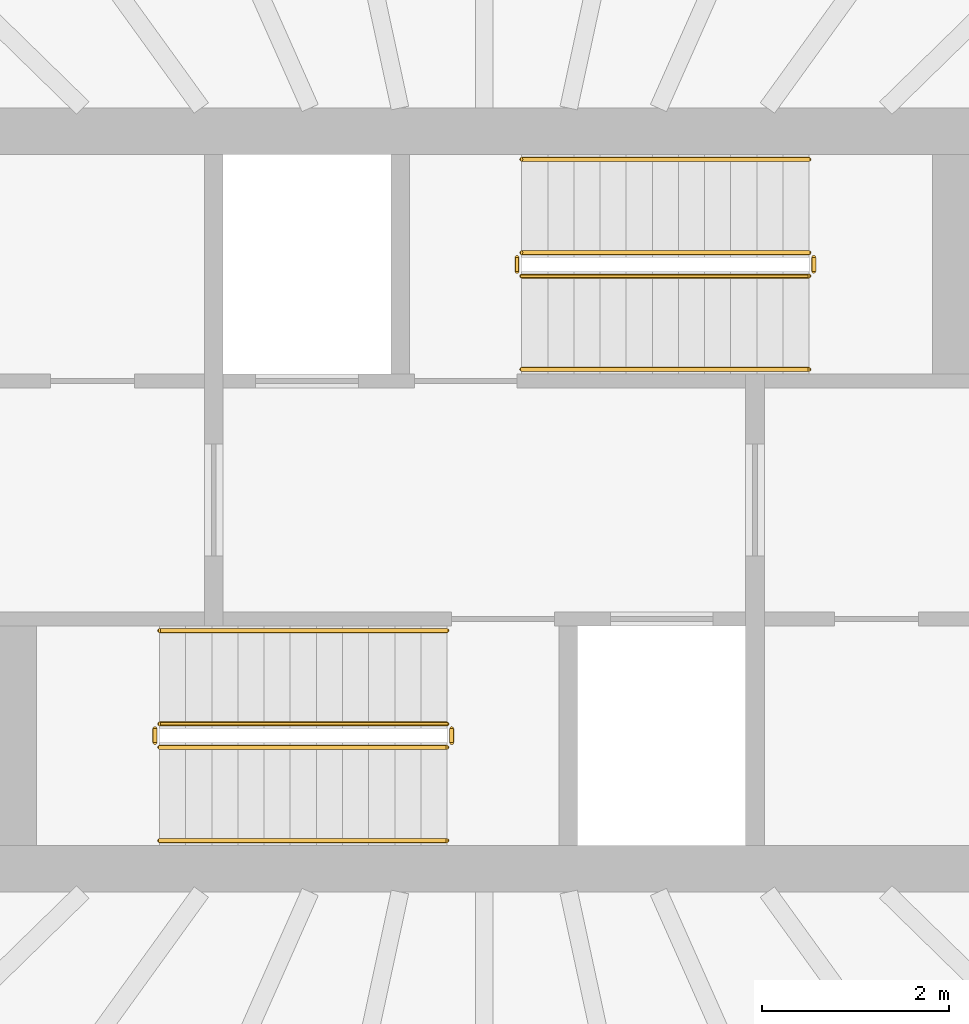
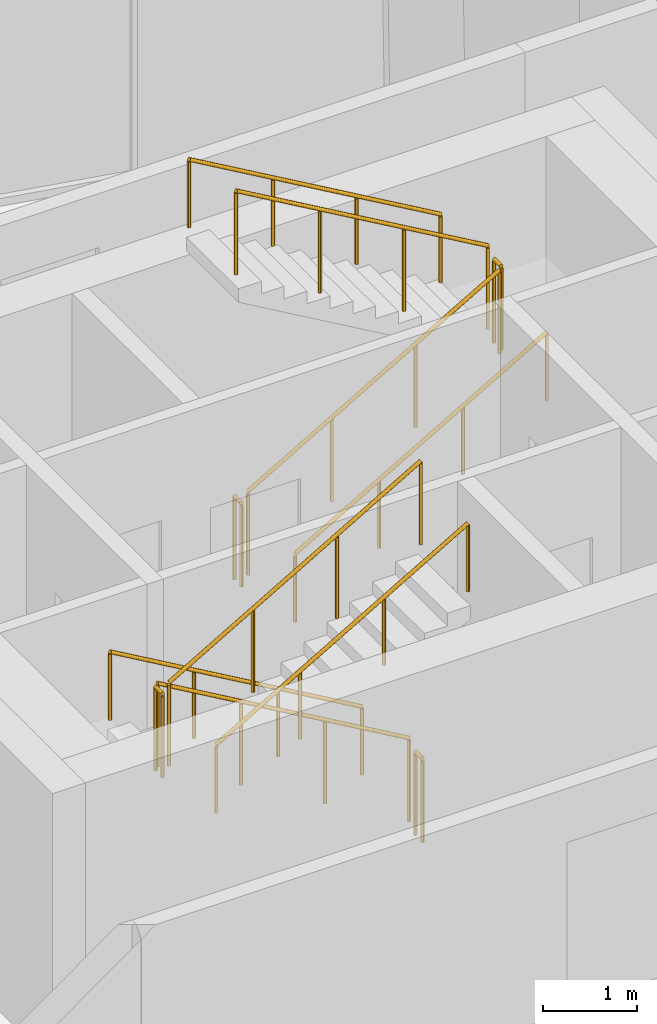
# One storey, part 5 of 5: 12 railings.
"""IFC4 building model written with IfcOpenShell, lengths in metres."""

from ifc_helpers import new_model, si_unit, direction, frame, origin, origin_2d, place, context, subcontext, project, spatial, circle, extrude, material, type_object, element, save


model = new_model("IFC4")

# Units and contexts
model_context = context("Model", 3, precision=1e-05, world=origin(), true_north=direction((0.0, 1.0)))
body_context = subcontext(model_context, "Body", "Model", "MODEL_VIEW")
ifc_project = project(units=[si_unit("LENGTHUNIT", "METRE"), si_unit("AREAUNIT", "SQUARE_METRE"), si_unit("VOLUMEUNIT", "CUBIC_METRE"), si_unit("PLANEANGLEUNIT", "RADIAN"), si_unit("MASSUNIT", "GRAM", prefix="KILO")], contexts=[model_context])

# Site, building, storey
site_placement = place(None, origin())
site = spatial("IfcSite", under=ifc_project, at=site_placement, CompositionType="ELEMENT")
building_placement = place(site_placement, origin())
building = spatial("IfcBuilding", under=site, at=building_placement, Name="Siaravel Broadcast Tower", CompositionType="ELEMENT")
storey_placement = place(building_placement, frame((0.0, 0.0, 276.5)))
storey = spatial("IfcBuildingStorey", under=building, at=storey_placement, Name="L67", CompositionType="ELEMENT", Elevation=276.5)

# Railings
ifc_material = material(Name="Stainless steel 316L", Category="steel")
railing_type_1 = type_object("IfcRailingType", Name="Stair guard 1100", PredefinedType="GUARDRAIL", material=ifc_material)
railing_1_placement = place(storey_placement, frame((0.39990234375, 2.39990234375, 0.16259765625)))
element("IfcRailing", 1, at=railing_1_placement, inside=storey, type_object=railing_type_1, Name="L67 ST-C1 stair guard 1", PredefinedType="GUARDRAIL", context=body_context, shape_type="SweptSolid", body=[
    extrude(circle(Radius=0.02392578125, at=origin_2d()), frame((0.0, 0.0, 1.076171875), z_axis=(0.864920483, 0.0, 0.501908914), x_axis=(0.0, 1.0, 0.0)), (0.0, 0.0, 1.0), 3.56103515625),
    extrude(circle(Radius=0.02099609375, at=origin_2d()), origin(), (0.0, 0.0, 1.0), 1.052001953125),
    extrude(circle(Radius=0.02099609375, at=origin_2d()), frame((1.026611328125, 0.0, 0.595703125)), (0.0, 0.0, 1.0), 1.052001953125),
    extrude(circle(Radius=0.02099609375, at=origin_2d()), frame((2.053466796875, 0.0, 1.191650390625)), (0.0, 0.0, 1.0), 1.052001953125),
    extrude(circle(Radius=0.02099609375, at=origin_2d()), frame((3.080078125, 0.0, 1.787353515625)), (0.0, 0.0, 1.0), 1.052001953125),
])
railing_2_placement = place(storey_placement, frame((3.530029296875, 2.449951171875, 1.949951171875)))
element("IfcRailing", 2, at=railing_2_placement, inside=storey, type_object=railing_type_1, Name="L67 ST-C1 stair guard 2", PredefinedType="GUARDRAIL", context=body_context, shape_type="SweptSolid", body=[
    extrude(circle(Radius=0.02392578125, at=origin_2d()), frame((0.0, 0.0, 1.076171875), z_axis=(0.0, 1.0, 0.0), x_axis=(-1.0, 0.0, 0.0)), (0.0, 0.0, 1.0), 0.150146484375),
    extrude(circle(Radius=0.02099609375, at=origin_2d()), origin(), (0.0, 0.0, 1.0), 1.052001953125),
    extrude(circle(Radius=0.02099609375, at=origin_2d()), frame((0.0, 0.150146484375, 0.0)), (0.0, 0.0, 1.0), 1.052001953125),
])
railing_3_placement = place(storey_placement, frame((3.47998046875, 2.64990234375, 2.112548828125)))
element("IfcRailing", 3, at=railing_3_placement, inside=storey, type_object=railing_type_1, Name="L67 ST-C1 stair guard 3", PredefinedType="GUARDRAIL", context=body_context, shape_type="SweptSolid", body=[
    extrude(circle(Radius=0.02392578125, at=origin_2d()), frame((0.0, 0.0, 1.076171875), z_axis=(-0.864920483, 0.0, 0.501908914), x_axis=(0.0, -1.0, 0.0)), (0.0, 0.0, 1.0), 3.56103515625),
    extrude(circle(Radius=0.02099609375, at=origin_2d()), origin(), (0.0, 0.0, 1.0), 1.052001953125),
    extrude(circle(Radius=0.02099609375, at=origin_2d()), frame((-1.026611328125, 0.0, 0.595703125)), (0.0, 0.0, 1.0), 1.052001953125),
    extrude(circle(Radius=0.02099609375, at=origin_2d()), frame((-2.053466796875, 0.0, 1.191650390625)), (0.0, 0.0, 1.0), 1.052001953125),
    extrude(circle(Radius=0.02099609375, at=origin_2d()), frame((-3.080078125, 0.0, 1.787353515625)), (0.0, 0.0, 1.0), 1.052001953125),
])
railing_4_placement = place(storey_placement, frame((0.35009765625, 2.449951171875, 0.0)))
element("IfcRailing", 4, at=railing_4_placement, inside=storey, type_object=railing_type_1, Name="L67 ST-C1 stair guard 4", PredefinedType="GUARDRAIL", context=body_context, shape_type="SweptSolid", body=[
    extrude(circle(Radius=0.02392578125, at=origin_2d()), frame((0.0, 0.0, 1.076171875), z_axis=(0.0, 1.0, 0.0), x_axis=(-1.0, 0.0, 0.0)), (0.0, 0.0, 1.0), 0.150146484375),
    extrude(circle(Radius=0.02099609375, at=origin_2d()), origin(), (0.0, 0.0, 1.0), 1.052001953125),
    extrude(circle(Radius=0.02099609375, at=origin_2d()), frame((0.0, 0.150146484375, 0.0)), (0.0, 0.0, 1.0), 1.052001953125),
])
railing_5_placement = place(storey_placement, frame((-0.39990234375, -2.39990234375, 0.16259765625)))
element("IfcRailing", 5, at=railing_5_placement, inside=storey, type_object=railing_type_1, Name="L67 ST-C2 stair guard 1", PredefinedType="GUARDRAIL", context=body_context, shape_type="SweptSolid", body=[
    extrude(circle(Radius=0.02392578125, at=origin_2d()), frame((0.0, 0.0, 1.076171875), z_axis=(-0.864920483, 0.0, 0.501908914), x_axis=(0.0, -1.0, 0.0)), (0.0, 0.0, 1.0), 3.56103515625),
    extrude(circle(Radius=0.02099609375, at=origin_2d()), origin(), (0.0, 0.0, 1.0), 1.052001953125),
    extrude(circle(Radius=0.02099609375, at=origin_2d()), frame((-1.026611328125, 0.0, 0.595703125)), (0.0, 0.0, 1.0), 1.052001953125),
    extrude(circle(Radius=0.02099609375, at=origin_2d()), frame((-2.053466796875, 0.0, 1.191650390625)), (0.0, 0.0, 1.0), 1.052001953125),
    extrude(circle(Radius=0.02099609375, at=origin_2d()), frame((-3.080078125, 0.0, 1.787353515625)), (0.0, 0.0, 1.0), 1.052001953125),
])
railing_6_placement = place(storey_placement, frame((-3.530029296875, -2.449951171875, 1.949951171875)))
element("IfcRailing", 6, at=railing_6_placement, inside=storey, type_object=railing_type_1, Name="L67 ST-C2 stair guard 2", PredefinedType="GUARDRAIL", context=body_context, shape_type="SweptSolid", body=[
    extrude(circle(Radius=0.02392578125, at=origin_2d()), frame((0.0, 0.0, 1.076171875), z_axis=(0.0, -1.0, 0.0), x_axis=(1.0, 0.0, 0.0)), (0.0, 0.0, 1.0), 0.150146484375),
    extrude(circle(Radius=0.02099609375, at=origin_2d()), origin(), (0.0, 0.0, 1.0), 1.052001953125),
    extrude(circle(Radius=0.02099609375, at=origin_2d()), frame((0.0, -0.150146484375, 0.0)), (0.0, 0.0, 1.0), 1.052001953125),
])
railing_7_placement = place(storey_placement, frame((-3.47998046875, -2.64990234375, 2.112548828125)))
element("IfcRailing", 7, at=railing_7_placement, inside=storey, type_object=railing_type_1, Name="L67 ST-C2 stair guard 3", PredefinedType="GUARDRAIL", context=body_context, shape_type="SweptSolid", body=[
    extrude(circle(Radius=0.02392578125, at=origin_2d()), frame((0.0, 0.0, 1.076171875), z_axis=(0.864920483, 0.0, 0.501908914), x_axis=(0.0, 1.0, 0.0)), (0.0, 0.0, 1.0), 3.56103515625),
    extrude(circle(Radius=0.02099609375, at=origin_2d()), origin(), (0.0, 0.0, 1.0), 1.052001953125),
    extrude(circle(Radius=0.02099609375, at=origin_2d()), frame((1.026611328125, 0.0, 0.595703125)), (0.0, 0.0, 1.0), 1.052001953125),
    extrude(circle(Radius=0.02099609375, at=origin_2d()), frame((2.053466796875, 0.0, 1.191650390625)), (0.0, 0.0, 1.0), 1.052001953125),
    extrude(circle(Radius=0.02099609375, at=origin_2d()), frame((3.080078125, 0.0, 1.787353515625)), (0.0, 0.0, 1.0), 1.052001953125),
])
railing_8_placement = place(storey_placement, frame((-0.35009765625, -2.449951171875, 0.0)))
element("IfcRailing", 8, at=railing_8_placement, inside=storey, type_object=railing_type_1, Name="L67 ST-C2 stair guard 4", PredefinedType="GUARDRAIL", context=body_context, shape_type="SweptSolid", body=[
    extrude(circle(Radius=0.02392578125, at=origin_2d()), frame((0.0, 0.0, 1.076171875), z_axis=(0.0, -1.0, 0.0), x_axis=(1.0, 0.0, 0.0)), (0.0, 0.0, 1.0), 0.150146484375),
    extrude(circle(Radius=0.02099609375, at=origin_2d()), origin(), (0.0, 0.0, 1.0), 1.052001953125),
    extrude(circle(Radius=0.02099609375, at=origin_2d()), frame((0.0, -0.150146484375, 0.0)), (0.0, 0.0, 1.0), 1.052001953125),
])
railing_type_2 = type_object("IfcRailingType", Name="Stair handrail 900", PredefinedType="HANDRAIL", material=ifc_material)
railing_9_placement = place(storey_placement, frame((0.39990234375, 1.39990234375, 0.16259765625)))
element("IfcRailing", 9, at=railing_9_placement, inside=storey, type_object=railing_type_2, Name="L67 ST-C1 stair handrail 1", PredefinedType="HANDRAIL", context=body_context, shape_type="SweptSolid", body=[
    extrude(circle(Radius=0.02392578125, at=origin_2d()), frame((0.0, 0.0, 0.8759765625), z_axis=(0.864920483, 0.0, 0.501908914), x_axis=(0.0, 1.0, 0.0)), (0.0, 0.0, 1.0), 3.56103515625),
    extrude(circle(Radius=0.02099609375, at=origin_2d()), origin(), (0.0, 0.0, 1.0), 0.851806640625),
    extrude(circle(Radius=0.02099609375, at=origin_2d()), frame((1.026611328125, 0.0, 0.595703125)), (0.0, 0.0, 1.0), 0.851806640625),
    extrude(circle(Radius=0.02099609375, at=origin_2d()), frame((2.053466796875, 0.0, 1.191650390625)), (0.0, 0.0, 1.0), 0.851806640625),
    extrude(circle(Radius=0.02099609375, at=origin_2d()), frame((3.080078125, 0.0, 1.787353515625)), (0.0, 0.0, 1.0), 0.851806640625),
])
for number, where, name in (
    (10, (3.47998046875, 3.64990234375, 2.112548828125), "L67 ST-C1 stair handrail 2"),
    (11, (-0.39990234375, -1.39990234375, 0.16259765625), "L67 ST-C2 stair handrail 1"),
):
    element("IfcRailing", number, at=place(storey_placement, frame(where)), inside=storey, type_object=railing_type_2, Name=name, PredefinedType="HANDRAIL", context=body_context, shape_type="SweptSolid", body=[
        extrude(circle(Radius=0.02392578125, at=origin_2d()), frame((0.0, 0.0, 0.8759765625), z_axis=(-0.864920483, 0.0, 0.501908914), x_axis=(0.0, -1.0, 0.0)), (0.0, 0.0, 1.0), 3.56103515625),
        extrude(circle(Radius=0.02099609375, at=origin_2d()), origin(), (0.0, 0.0, 1.0), 0.851806640625),
        extrude(circle(Radius=0.02099609375, at=origin_2d()), frame((-1.026611328125, 0.0, 0.595703125)), (0.0, 0.0, 1.0), 0.851806640625),
        extrude(circle(Radius=0.02099609375, at=origin_2d()), frame((-2.053466796875, 0.0, 1.191650390625)), (0.0, 0.0, 1.0), 0.851806640625),
        extrude(circle(Radius=0.02099609375, at=origin_2d()), frame((-3.080078125, 0.0, 1.787353515625)), (0.0, 0.0, 1.0), 0.851806640625),
    ])
railing_10_placement = place(storey_placement, frame((-3.47998046875, -3.64990234375, 2.112548828125)))
element("IfcRailing", 12, at=railing_10_placement, inside=storey, type_object=railing_type_2, Name="L67 ST-C2 stair handrail 2", PredefinedType="HANDRAIL", context=body_context, shape_type="SweptSolid", body=[
    extrude(circle(Radius=0.02392578125, at=origin_2d()), frame((0.0, 0.0, 0.8759765625), z_axis=(0.864920483, 0.0, 0.501908914), x_axis=(0.0, 1.0, 0.0)), (0.0, 0.0, 1.0), 3.56103515625),
    extrude(circle(Radius=0.02099609375, at=origin_2d()), origin(), (0.0, 0.0, 1.0), 0.851806640625),
    extrude(circle(Radius=0.02099609375, at=origin_2d()), frame((1.026611328125, 0.0, 0.595703125)), (0.0, 0.0, 1.0), 0.851806640625),
    extrude(circle(Radius=0.02099609375, at=origin_2d()), frame((2.053466796875, 0.0, 1.191650390625)), (0.0, 0.0, 1.0), 0.851806640625),
    extrude(circle(Radius=0.02099609375, at=origin_2d()), frame((3.080078125, 0.0, 1.787353515625)), (0.0, 0.0, 1.0), 0.851806640625),
])

save(model, "model.ifc")
